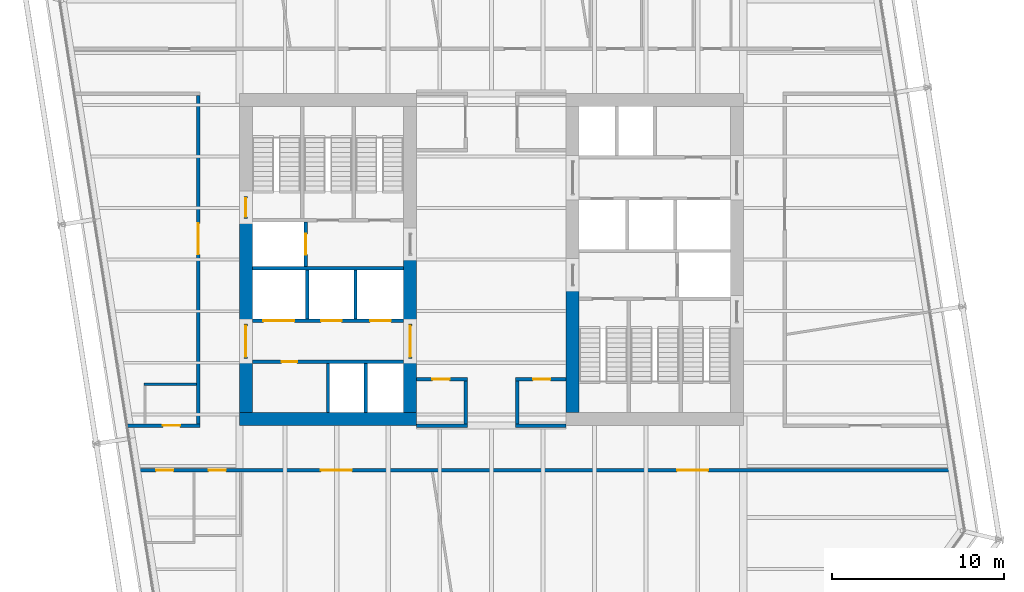
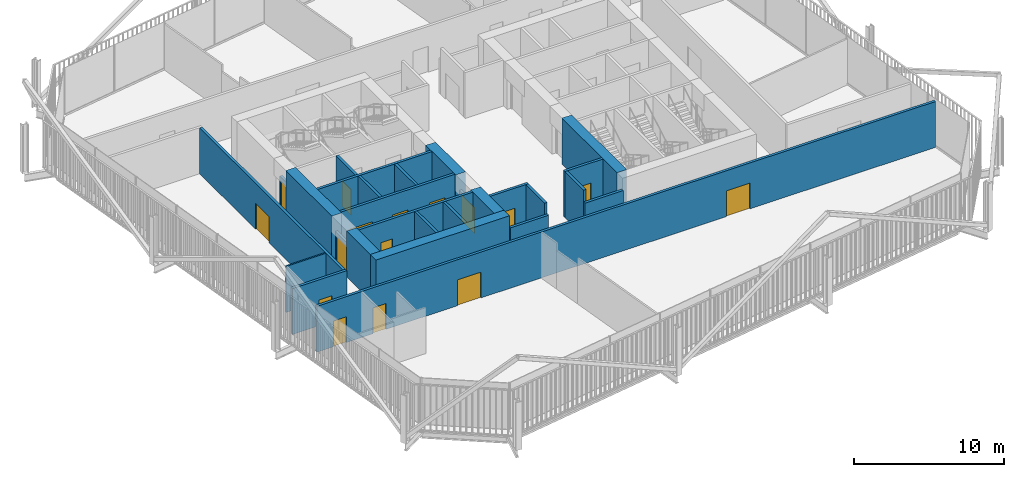
# One storey, part 18 of 22: 27 walls, 16 doors, 16 openings.
"""IFC4 building model written with IfcOpenShell, lengths in metres."""

from ifc_helpers import new_model, si_unit, direction, frame, frame_2d, origin, place, context, subcontext, project, spatial, rectangle, extrude, material, layer, layer_set, type_object, element, fill, save


model = new_model("IFC4")

# Units and contexts
model_context = context("Model", 3, precision=1e-05, world=origin(), true_north=direction((0.0, 1.0)))
body_context = subcontext(model_context, "Body", "Model", "MODEL_VIEW")
ifc_project = project(units=[si_unit("LENGTHUNIT", "METRE"), si_unit("AREAUNIT", "SQUARE_METRE"), si_unit("VOLUMEUNIT", "CUBIC_METRE"), si_unit("PLANEANGLEUNIT", "RADIAN"), si_unit("MASSUNIT", "GRAM", prefix="KILO")], contexts=[model_context])

# Site, building, storey
site_placement = place(None, origin())
site = spatial("IfcSite", under=ifc_project, at=site_placement, CompositionType="ELEMENT")
building_placement = place(site_placement, origin())
building = spatial("IfcBuilding", under=site, at=building_placement, Name="Millrace Tower", CompositionType="ELEMENT")
storey_placement = place(building_placement, frame((0.0, 0.0, 160.699951171875)))
storey = spatial("IfcBuildingStorey", under=building, at=storey_placement, Name="L36", CompositionType="ELEMENT", Elevation=160.699951171875)

# Walls
ifc_material_1 = material(Name="Concrete C70", Category="concrete")
ifc_layer_1 = layer(ifc_material_1, 0.75)
ifc_layer_set_1 = layer_set([ifc_layer_1], Name="Concrete C70")
wall_type_1 = type_object("IfcWallType", Name="Core wall 750 Concrete C70", PredefinedType="SHEAR", material=ifc_layer_set_1)
wall_1_placement = place(storey_placement, frame((-14.64990234375, -9.27490234375, 0.0), z_axis=(0.0, 0.0, 1.0), x_axis=(1.0, 0.0, 0.0)))
element("IfcWall", 1, at=wall_1_placement, inside=storey, type_object=wall_type_1, Name="Core wall W L36", PredefinedType="SHEAR", context=body_context, shape_type="SweptSolid", body=[
    extrude(rectangle(XDim=10.2998046875, YDim=0.75, at=frame_2d((5.14990234375, 0.0))), origin(), (0.0, 0.0, 1.0), 3.739990234375),
])
wall_2_placement = place(storey_placement, frame((-14.27490234375, -8.89990234375, 0.0), z_axis=(0.0, 0.0, 1.0), x_axis=(0.0, 1.0, 0.0)))
element("IfcWall", 2, at=wall_2_placement, inside=storey, type_object=wall_type_1, Name="Core wall W L36", PredefinedType="SHEAR", context=body_context, shape_type="SweptSolid", body=[
    extrude(rectangle(XDim=3.14990234375, YDim=0.75, at=frame_2d((1.574951171875, 0.0))), origin(), (0.0, 0.0, 1.0), 3.739990234375),
])
wall_3_placement = place(storey_placement, frame((-14.27490234375, -3.75, 0.0), z_axis=(0.0, 0.0, 1.0), x_axis=(0.0, 1.0, 0.0)))
element("IfcWall", 3, at=wall_3_placement, inside=storey, type_object=wall_type_1, Name="Core wall W L36", PredefinedType="SHEAR", context=body_context, shape_type="SweptSolid", body=[
    extrude(rectangle(XDim=6.1298828125, YDim=0.75, at=frame_2d((3.06494140625, 0.0))), origin(), (0.0, 0.0, 1.0), 3.739990234375),
])
wall_4_placement = place(storey_placement, frame((-4.72509765625, -8.89990234375, 0.0), z_axis=(0.0, 0.0, 1.0), x_axis=(0.0, 1.0, 0.0)))
element("IfcWall", 4, at=wall_4_placement, inside=storey, type_object=wall_type_1, Name="Core wall W L36", PredefinedType="SHEAR", context=body_context, shape_type="SweptSolid", body=[
    extrude(rectangle(XDim=3.14990234375, YDim=0.75, at=frame_2d((1.574951171875, 0.0))), origin(), (0.0, 0.0, 1.0), 3.739990234375),
])
wall_5_placement = place(storey_placement, frame((-4.72509765625, -3.75, 0.0), z_axis=(0.0, 0.0, 1.0), x_axis=(0.0, 1.0, 0.0)))
element("IfcWall", 5, at=wall_5_placement, inside=storey, type_object=wall_type_1, Name="Core wall W L36", PredefinedType="SHEAR", context=body_context, shape_type="SweptSolid", body=[
    extrude(rectangle(XDim=4.0, YDim=0.75, at=frame_2d((2.0, 0.0))), origin(), (0.0, 0.0, 1.0), 3.739990234375),
])
wall_6_placement = place(storey_placement, frame((4.72509765625, -1.550048828125, 0.0), z_axis=(0.0, 0.0, 1.0), x_axis=(0.0, -1.0, 0.0)))
element("IfcWall", 6, at=wall_6_placement, inside=storey, type_object=wall_type_1, Name="Core wall E L36", PredefinedType="SHEAR", context=body_context, shape_type="SweptSolid", body=[
    extrude(rectangle(XDim=7.349853515625, YDim=0.75, at=frame_2d((3.6748046875, 0.0))), origin(), (0.0, 0.0, 1.0), 3.739990234375),
])

# Wall, openings, doors
ifc_material_2 = material(Name="Masonry partition, fire-rated", Category="masonry")
ifc_layer_2 = layer(ifc_material_2, 0.199951171875)
ifc_layer_set_2 = layer_set([ifc_layer_2], Name="Masonry partition, fire-rated")
wall_type_2 = type_object("IfcWallType", Name="Corridor wall 200", PredefinedType="PARTITIONING", material=ifc_layer_set_2)
wall_7_placement = place(storey_placement, frame((-20.738525390625, -12.25, 0.0), z_axis=(0.0, 0.0, 1.0), x_axis=(1.0, 0.0, 0.0)))
wall_7 = element("IfcWall", 7, at=wall_7_placement, inside=storey, type_object=wall_type_2, Name="Corridor wall L36", PredefinedType="PARTITIONING", context=body_context, shape_type="SweptSolid", body=[
    extrude(rectangle(XDim=47.646484375, YDim=0.199951171875, at=frame_2d((23.8232421875, 0.0))), origin(), (0.0, 0.0, 1.0), 3.739990234375),
])
opening_1_placement = place(wall_7_placement, frame((10.821533203125, 0.0, 0.0)))
opening_1 = element("IfcOpeningElement", 8, at=opening_1_placement, cuts=wall_7, Name="Opening 36-P014", PredefinedType="OPENING", context=body_context, shape_type="SweptSolid", body=[
    extrude(rectangle(XDim=1.800048828125, YDim=2.10009765625, at=frame_2d((0.89990234375, 1.050048828125))), frame((0.0, 0.10986328125, 0.0), z_axis=(0.0, -1.0, 0.0), x_axis=(1.0, 0.0, 0.0)), (0.0, 0.0, 1.0), 0.219970703125),
])
opening_2_placement = place(wall_7_placement, frame((1.25048828125, 0.0, 0.0)))
opening_2 = element("IfcOpeningElement", 9, at=opening_2_placement, cuts=wall_7, Name="Opening 36-P015", PredefinedType="OPENING", context=body_context, shape_type="SweptSolid", body=[
    extrude(rectangle(XDim=1.0, YDim=2.10009765625, at=frame_2d((0.5, 1.050048828125))), frame((0.0, 0.10986328125, 0.0), z_axis=(0.0, -1.0, 0.0), x_axis=(1.0, 0.0, 0.0)), (0.0, 0.0, 1.0), 0.219970703125),
])
opening_3_placement = place(wall_7_placement, frame((4.300537109375, 0.0, 0.0)))
opening_3 = element("IfcOpeningElement", 10, at=opening_3_placement, cuts=wall_7, Name="Opening 36-P016", PredefinedType="OPENING", context=body_context, shape_type="SweptSolid", body=[
    extrude(rectangle(XDim=1.0, YDim=2.10009765625, at=frame_2d((0.5, 1.050048828125))), frame((0.0, 0.10986328125, 0.0), z_axis=(0.0, -1.0, 0.0), x_axis=(1.0, 0.0, 0.0)), (0.0, 0.0, 1.0), 0.219970703125),
])
opening_4_placement = place(wall_7_placement, frame((31.5439453125, 0.0, 0.0)))
opening_4 = element("IfcOpeningElement", 11, at=opening_4_placement, cuts=wall_7, Name="Opening 36-P017", PredefinedType="OPENING", context=body_context, shape_type="SweptSolid", body=[
    extrude(rectangle(XDim=1.800048828125, YDim=2.10009765625, at=frame_2d((0.89990234375, 1.050048828125))), frame((0.0, 0.10986328125, 0.0), z_axis=(0.0, -1.0, 0.0), x_axis=(1.0, 0.0, 0.0)), (0.0, 0.0, 1.0), 0.219970703125),
])
ifc_material_3 = material(Name="Steel door set, fire-rated", Category="steel")
door_type_1 = type_object("IfcDoorType", Name="Corridor door 1000 x 2100", OperationType="SINGLE_SWING_LEFT", PredefinedType="DOOR", material=ifc_material_3)
door_1_placement = place(opening_2_placement, frame((1.0, 0.0, 0.0), z_axis=(0.0, 0.0, 1.0), x_axis=(-1.0, 0.0, 0.0)))
door_1 = element("IfcDoor", 12, at=door_1_placement, inside=storey, type_object=door_type_1, Name="Door 36-P015", OperationType="SINGLE_SWING_RIGHT", OverallHeight=2.10009765625, OverallWidth=1.0, PredefinedType="DOOR", context=body_context, shape_type="SweptSolid", body=[
    extrude(rectangle(XDim=1.0, YDim=2.10009765625, at=frame_2d((0.5, 1.050048828125))), frame((0.0, 0.02490234375, 0.0), z_axis=(0.0, -1.0, 0.0), x_axis=(1.0, 0.0, 0.0)), (0.0, 0.0, 1.0), 0.050048828125),
])
fill(opening_2, door_1)
door_2_placement = place(opening_3_placement, frame((1.0, 0.0, 0.0), z_axis=(0.0, 0.0, 1.0), x_axis=(-1.0, 0.0, 0.0)))
door_2 = element("IfcDoor", 13, at=door_2_placement, inside=storey, type_object=door_type_1, Name="Door 36-P016", OperationType="SINGLE_SWING_RIGHT", OverallHeight=2.10009765625, OverallWidth=1.0, PredefinedType="DOOR", context=body_context, shape_type="SweptSolid", body=[
    extrude(rectangle(XDim=1.0, YDim=2.10009765625, at=frame_2d((0.5, 1.050048828125))), frame((0.0, 0.02490234375, 0.0), z_axis=(0.0, -1.0, 0.0), x_axis=(1.0, 0.0, 0.0)), (0.0, 0.0, 1.0), 0.050048828125),
])
fill(opening_3, door_2)
ifc_material_4 = material(Name="Steel door set, fire-rated", Category="steel")
door_type_2 = type_object("IfcDoorType", Name="Corridor door 1800 x 2100", OperationType="DOUBLE_DOOR_SINGLE_SWING", PredefinedType="DOOR", material=ifc_material_4)
door_3_placement = place(opening_1_placement, origin())
door_3 = element("IfcDoor", 14, at=door_3_placement, inside=storey, type_object=door_type_2, Name="Door 36-P014", OperationType="DOUBLE_DOOR_SINGLE_SWING", OverallHeight=2.10009765625, OverallWidth=1.800048828125, PredefinedType="DOOR", context=body_context, shape_type="SweptSolid", body=[
    extrude(rectangle(XDim=1.800048828125, YDim=2.10009765625, at=frame_2d((0.89990234375, 1.050048828125))), frame((0.0, 0.02490234375, 0.0), z_axis=(0.0, -1.0, 0.0), x_axis=(1.0, 0.0, 0.0)), (0.0, 0.0, 1.0), 0.050048828125),
])
fill(opening_1, door_3)
door_4_placement = place(opening_4_placement, origin())
door_4 = element("IfcDoor", 15, at=door_4_placement, inside=storey, type_object=door_type_2, Name="Door 36-P017", OperationType="DOUBLE_DOOR_SINGLE_SWING", OverallHeight=2.10009765625, OverallWidth=1.800048828125, PredefinedType="DOOR", context=body_context, shape_type="SweptSolid", body=[
    extrude(rectangle(XDim=1.800048828125, YDim=2.10009765625, at=frame_2d((0.89990234375, 1.050048828125))), frame((0.0, 0.02490234375, 0.0), z_axis=(0.0, -1.0, 0.0), x_axis=(1.0, 0.0, 0.0)), (0.0, 0.0, 1.0), 0.050048828125),
])
fill(opening_4, door_4)

# Wall, opening, door
wall_8_placement = place(storey_placement, frame((-21.150390625, -9.64990234375, 0.0), z_axis=(0.0, 0.0, 1.0), x_axis=(1.0, 0.0, 0.0)))
wall_8 = element("IfcWall", 16, at=wall_8_placement, inside=storey, type_object=wall_type_2, Name="Corridor wall L36", PredefinedType="PARTITIONING", context=body_context, shape_type="SweptSolid", body=[
    extrude(rectangle(XDim=4.200439453125, YDim=0.199951171875, at=frame_2d((2.10009765625, 0.0))), origin(), (0.0, 0.0, 1.0), 3.739990234375),
])
opening_5_placement = place(wall_8_placement, frame((2.05029296875, 0.0, 0.0)))
opening_5 = element("IfcOpeningElement", 17, at=opening_5_placement, cuts=wall_8, Name="Opening 36-P019", PredefinedType="OPENING", context=body_context, shape_type="SweptSolid", body=[
    extrude(rectangle(XDim=1.0, YDim=2.10009765625, at=frame_2d((0.5, 1.050048828125))), frame((0.0, 0.10986328125, 0.0), z_axis=(0.0, -1.0, 0.0), x_axis=(1.0, 0.0, 0.0)), (0.0, 0.0, 1.0), 0.219970703125),
])
door_5_placement = place(opening_5_placement, origin())
door_5 = element("IfcDoor", 18, at=door_5_placement, inside=storey, type_object=door_type_1, Name="Door 36-P019", OperationType="SINGLE_SWING_RIGHT", OverallHeight=2.10009765625, OverallWidth=1.0, PredefinedType="DOOR", context=body_context, shape_type="SweptSolid", body=[
    extrude(rectangle(XDim=1.0, YDim=2.10009765625, at=frame_2d((0.5, 1.050048828125))), frame((0.0, 0.02490234375, 0.0), z_axis=(0.0, -1.0, 0.0), x_axis=(1.0, 0.0, 0.0)), (0.0, 0.0, 1.0), 0.050048828125),
])
fill(opening_5, door_5)

# Walls
for number, where, z_axis, x_axis, name in (
    (19, (-4.35009765625, -9.64990234375, 0.0), (0.0, 0.0, 1.0), (1.0, 0.0, 0.0), "Corridor wall L36"),
    (20, (1.39990234375, -9.64990234375, 0.0), (0.0, 0.0, 1.0), (1.0, 0.0, 0.0), "Corridor wall L36"),
):
    element("IfcWall", number, at=place(storey_placement, frame(where, z_axis=z_axis, x_axis=x_axis)), inside=storey, type_object=wall_type_2, Name=name, PredefinedType="PARTITIONING", context=body_context, shape_type="SweptSolid", body=[
        extrude(rectangle(XDim=2.9501953125, YDim=0.199951171875, at=frame_2d((1.47509765625, 0.0))), origin(), (0.0, 0.0, 1.0), 2.81298828125),
    ])

# Wall, opening, door
wall_9_placement = place(storey_placement, frame((-4.35009765625, -6.949951171875, 0.0), z_axis=(0.0, 0.0, 1.0), x_axis=(1.0, 0.0, 0.0)))
wall_9 = element("IfcWall", 21, at=wall_9_placement, inside=storey, type_object=wall_type_2, Name="Corridor wall L36", PredefinedType="PARTITIONING", context=body_context, shape_type="SweptSolid", body=[
    extrude(rectangle(XDim=2.9501953125, YDim=0.199951171875, at=frame_2d((1.47509765625, 0.0))), origin(), (0.0, 0.0, 1.0), 3.739990234375),
])
opening_6_placement = place(wall_9_placement, frame((0.925048828125, 0.0, 0.0)))
opening_6 = element("IfcOpeningElement", 22, at=opening_6_placement, cuts=wall_9, Name="Opening 36-P003", PredefinedType="OPENING", context=body_context, shape_type="SweptSolid", body=[
    extrude(rectangle(XDim=1.0, YDim=2.10009765625, at=frame_2d((0.5, 1.050048828125))), frame((0.0, 0.10986328125, 0.0), z_axis=(0.0, -1.0, 0.0), x_axis=(1.0, 0.0, 0.0)), (0.0, 0.0, 1.0), 0.219970703125),
])
door_6_placement = place(opening_6_placement, frame((1.0, 0.0, 0.0), z_axis=(0.0, 0.0, 1.0), x_axis=(-1.0, 0.0, 0.0)))
door_6 = element("IfcDoor", 23, at=door_6_placement, inside=storey, type_object=door_type_1, Name="Door 36-P003", OperationType="SINGLE_SWING_RIGHT", OverallHeight=2.10009765625, OverallWidth=1.0, PredefinedType="DOOR", context=body_context, shape_type="SweptSolid", body=[
    extrude(rectangle(XDim=1.0, YDim=2.10009765625, at=frame_2d((0.5, 1.050048828125))), frame((0.0, 0.02490234375, 0.0), z_axis=(0.0, -1.0, 0.0), x_axis=(1.0, 0.0, 0.0)), (0.0, 0.0, 1.0), 0.050048828125),
])
fill(opening_6, door_6)

wall_10_placement = place(storey_placement, frame((1.39990234375, -6.949951171875, 0.0), z_axis=(0.0, 0.0, 1.0), x_axis=(1.0, 0.0, 0.0)))
wall_10 = element("IfcWall", 24, at=wall_10_placement, inside=storey, type_object=wall_type_2, Name="Corridor wall L36", PredefinedType="PARTITIONING", context=body_context, shape_type="SweptSolid", body=[
    extrude(rectangle(XDim=2.9501953125, YDim=0.199951171875, at=frame_2d((1.47509765625, 0.0))), origin(), (0.0, 0.0, 1.0), 3.739990234375),
])
opening_7_placement = place(wall_10_placement, frame((1.02490234375, 0.0, 0.0)))
opening_7 = element("IfcOpeningElement", 25, at=opening_7_placement, cuts=wall_10, Name="Opening 36-P004", PredefinedType="OPENING", context=body_context, shape_type="SweptSolid", body=[
    extrude(rectangle(XDim=1.0, YDim=2.10009765625, at=frame_2d((0.5, 1.050048828125))), frame((0.0, 0.10986328125, 0.0), z_axis=(0.0, -1.0, 0.0), x_axis=(1.0, 0.0, 0.0)), (0.0, 0.0, 1.0), 0.219970703125),
])
door_7_placement = place(opening_7_placement, frame((1.0, 0.0, 0.0), z_axis=(0.0, 0.0, 1.0), x_axis=(-1.0, 0.0, 0.0)))
door_7 = element("IfcDoor", 26, at=door_7_placement, inside=storey, type_object=door_type_1, Name="Door 36-P004", OperationType="SINGLE_SWING_RIGHT", OverallHeight=2.10009765625, OverallWidth=1.0, PredefinedType="DOOR", context=body_context, shape_type="SweptSolid", body=[
    extrude(rectangle(XDim=1.0, YDim=2.10009765625, at=frame_2d((0.5, 1.050048828125))), frame((0.0, 0.02490234375, 0.0), z_axis=(0.0, -1.0, 0.0), x_axis=(1.0, 0.0, 0.0)), (0.0, 0.0, 1.0), 0.050048828125),
])
fill(opening_7, door_7)

# Walls
for number, where, z_axis, x_axis, name in (
    (27, (1.5, -9.550048828125, 0.0), (0.0, 0.0, 1.0), (0.0, 1.0, 0.0), "Corridor wall L36"),
    (28, (-1.5, -9.550048828125, 0.0), (0.0, 0.0, 1.0), (0.0, 1.0, 0.0), "Corridor wall L36"),
):
    element("IfcWall", number, at=place(storey_placement, frame(where, z_axis=z_axis, x_axis=x_axis)), inside=storey, type_object=wall_type_2, Name=name, PredefinedType="PARTITIONING", context=body_context, shape_type="SweptSolid", body=[
        extrude(rectangle(XDim=2.5, YDim=0.199951171875, at=frame_2d((1.25, 0.0))), origin(), (0.0, 0.0, 1.0), 3.739990234375),
    ])

# Wall, opening, door
wall_11_placement = place(storey_placement, frame((-17.050048828125, -9.550048828125, 0.0), z_axis=(0.0, 0.0, 1.0), x_axis=(0.0, 1.0, 0.0)))
wall_11 = element("IfcWall", 29, at=wall_11_placement, inside=storey, type_object=wall_type_2, Name="Corridor wall L36", PredefinedType="PARTITIONING", context=body_context, shape_type="SweptSolid", body=[
    extrude(rectangle(XDim=19.10009765625, YDim=0.199951171875, at=frame_2d((9.550048828125, 0.0))), origin(), (0.0, 0.0, 1.0), 3.739990234375),
])
opening_8_placement = place(wall_11_placement, frame((9.85009765625, 0.0, 0.0)))
opening_8 = element("IfcOpeningElement", 30, at=opening_8_placement, cuts=wall_11, Name="Opening 36-P018", PredefinedType="OPENING", context=body_context, shape_type="SweptSolid", body=[
    extrude(rectangle(XDim=1.800048828125, YDim=2.10009765625, at=frame_2d((0.89990234375, 1.050048828125))), frame((0.0, 0.10986328125, 0.0), z_axis=(0.0, -1.0, 0.0), x_axis=(1.0, 0.0, 0.0)), (0.0, 0.0, 1.0), 0.219970703125),
])
door_8_placement = place(opening_8_placement, origin())
door_8 = element("IfcDoor", 31, at=door_8_placement, inside=storey, type_object=door_type_2, Name="Door 36-P018", OperationType="DOUBLE_DOOR_SINGLE_SWING", OverallHeight=2.10009765625, OverallWidth=1.800048828125, PredefinedType="DOOR", context=body_context, shape_type="SweptSolid", body=[
    extrude(rectangle(XDim=1.800048828125, YDim=2.10009765625, at=frame_2d((0.89990234375, 1.050048828125))), frame((0.0, 0.02490234375, 0.0), z_axis=(0.0, -1.0, 0.0), x_axis=(1.0, 0.0, 0.0)), (0.0, 0.0, 1.0), 0.050048828125),
])
fill(opening_8, door_8)

ifc_material_5 = material(Name="Masonry partition, fire-rated", Category="masonry")
ifc_layer_3 = layer(ifc_material_5, 0.199951171875)
ifc_layer_set_3 = layer_set([ifc_layer_3], Name="Masonry partition, fire-rated")
wall_type_3 = type_object("IfcWallType", Name="Lift shaft wall 200", PredefinedType="PARTITIONING", material=ifc_layer_set_3)
wall_12_placement = place(storey_placement, frame((-13.89990234375, -5.949951171875, 0.0), z_axis=(0.0, 0.0, 1.0), x_axis=(1.0, 0.0, 0.0)))
wall_12 = element("IfcWall", 32, at=wall_12_placement, inside=storey, type_object=wall_type_3, Name="Lift shaft wall W L36", PredefinedType="PARTITIONING", context=body_context, shape_type="SweptSolid", body=[
    extrude(rectangle(XDim=8.7998046875, YDim=0.199951171875, at=frame_2d((4.39990234375, 0.0))), origin(), (0.0, 0.0, 1.0), 3.739990234375),
])
opening_9_placement = place(wall_12_placement, frame((1.699951171875, 0.0, 0.0)))
opening_9 = element("IfcOpeningElement", 33, at=opening_9_placement, cuts=wall_12, Name="Opening 36-C005", PredefinedType="OPENING", context=body_context, shape_type="SweptSolid", body=[
    extrude(rectangle(XDim=0.89990234375, YDim=2.10009765625, at=frame_2d((0.449951171875, 1.050048828125))), frame((0.0, 0.10986328125, 0.0), z_axis=(0.0, -1.0, 0.0), x_axis=(1.0, 0.0, 0.0)), (0.0, 0.0, 1.0), 0.219970703125),
])
ifc_material_6 = material(Name="Steel door, fire-rated", Category="steel")
door_type_3 = type_object("IfcDoorType", Name="Service room door 900 x 2100", OperationType="SINGLE_SWING_LEFT", PredefinedType="DOOR", material=ifc_material_6)
door_9_placement = place(opening_9_placement, frame((0.89990234375, 0.0, 0.0), z_axis=(0.0, 0.0, 1.0), x_axis=(-1.0, 0.0, 0.0)))
door_9 = element("IfcDoor", 34, at=door_9_placement, inside=storey, type_object=door_type_3, Name="Service room door 36-C005", OperationType="SINGLE_SWING_RIGHT", OverallHeight=2.10009765625, OverallWidth=0.89990234375, PredefinedType="DOOR", context=body_context, shape_type="SweptSolid", body=[
    extrude(rectangle(XDim=0.89990234375, YDim=2.10009765625, at=frame_2d((0.449951171875, 1.050048828125))), frame((0.0, 0.02490234375, 0.0), z_axis=(0.0, -1.0, 0.0), x_axis=(1.0, 0.0, 0.0)), (0.0, 0.0, 1.0), 0.050048828125),
])
fill(opening_9, door_9)

# Wall, openings, doors
wall_13_placement = place(storey_placement, frame((-13.89990234375, -3.550048828125, 0.0), z_axis=(0.0, 0.0, 1.0), x_axis=(1.0, 0.0, 0.0)))
wall_13 = element("IfcWall", 35, at=wall_13_placement, inside=storey, type_object=wall_type_3, Name="Lift shaft wall W L36", PredefinedType="PARTITIONING", context=body_context, shape_type="SweptSolid", body=[
    extrude(rectangle(XDim=8.7998046875, YDim=0.199951171875, at=frame_2d((4.39990234375, 0.0))), origin(), (0.0, 0.0, 1.0), 3.739990234375),
])
opening_10_placement = place(wall_13_placement, frame((0.64990234375, 0.0, 0.0)))
opening_10 = element("IfcOpeningElement", 36, at=opening_10_placement, cuts=wall_13, Name="Opening 36-LD05", PredefinedType="OPENING", context=body_context, shape_type="SweptSolid", body=[
    extrude(rectangle(XDim=1.800048828125, YDim=2.10009765625, at=frame_2d((0.89990234375, 1.050048828125))), frame((0.0, 0.10986328125, 0.0), z_axis=(0.0, -1.0, 0.0), x_axis=(1.0, 0.0, 0.0)), (0.0, 0.0, 1.0), 0.219970703125),
])
opening_11_placement = place(wall_13_placement, frame((4.0, 0.0, 0.0)))
opening_11 = element("IfcOpeningElement", 37, at=opening_11_placement, cuts=wall_13, Name="Opening 36-LD06", PredefinedType="OPENING", context=body_context, shape_type="SweptSolid", body=[
    extrude(rectangle(XDim=1.199951171875, YDim=2.10009765625, at=frame_2d((0.60009765625, 1.050048828125))), frame((0.0, 0.10986328125, 0.0), z_axis=(0.0, -1.0, 0.0), x_axis=(1.0, 0.0, 0.0)), (0.0, 0.0, 1.0), 0.219970703125),
])
opening_12_placement = place(wall_13_placement, frame((6.85009765625, 0.0, 0.0)))
opening_12 = element("IfcOpeningElement", 38, at=opening_12_placement, cuts=wall_13, Name="Opening 36-LD07", PredefinedType="OPENING", context=body_context, shape_type="SweptSolid", body=[
    extrude(rectangle(XDim=1.199951171875, YDim=2.10009765625, at=frame_2d((0.60009765625, 1.050048828125))), frame((0.0, 0.10986328125, 0.0), z_axis=(0.0, -1.0, 0.0), x_axis=(1.0, 0.0, 0.0)), (0.0, 0.0, 1.0), 0.219970703125),
])
ifc_material_7 = material(Name="Stainless steel, fire-rated", Category="steel")
door_type_4 = type_object("IfcDoorType", Name="Lift landing door 1200 x 2100", OperationType="DOUBLE_DOOR_SLIDING", PredefinedType="DOOR", material=ifc_material_7)
door_10_placement = place(opening_11_placement, origin())
door_10 = element("IfcDoor", 39, at=door_10_placement, inside=storey, type_object=door_type_4, Name="Lift landing door LF6 L36", OperationType="DOUBLE_DOOR_SLIDING", OverallHeight=2.10009765625, OverallWidth=1.199951171875, PredefinedType="DOOR", context=body_context, shape_type="SweptSolid", body=[
    extrude(rectangle(XDim=1.199951171875, YDim=2.10009765625, at=frame_2d((0.60009765625, 1.050048828125))), frame((0.0, 0.02490234375, 0.0), z_axis=(0.0, -1.0, 0.0), x_axis=(1.0, 0.0, 0.0)), (0.0, 0.0, 1.0), 0.050048828125),
])
fill(opening_11, door_10)
door_11_placement = place(opening_12_placement, origin())
door_11 = element("IfcDoor", 40, at=door_11_placement, inside=storey, type_object=door_type_4, Name="Lift landing door LF7 L36", OperationType="DOUBLE_DOOR_SLIDING", OverallHeight=2.10009765625, OverallWidth=1.199951171875, PredefinedType="DOOR", context=body_context, shape_type="SweptSolid", body=[
    extrude(rectangle(XDim=1.199951171875, YDim=2.10009765625, at=frame_2d((0.60009765625, 1.050048828125))), frame((0.0, 0.02490234375, 0.0), z_axis=(0.0, -1.0, 0.0), x_axis=(1.0, 0.0, 0.0)), (0.0, 0.0, 1.0), 0.050048828125),
])
fill(opening_12, door_11)
ifc_material_8 = material(Name="Stainless steel, fire-rated", Category="steel")
door_type_5 = type_object("IfcDoorType", Name="Lift landing door 1800 x 2100", OperationType="DOUBLE_DOOR_SLIDING", PredefinedType="DOOR", material=ifc_material_8)
door_12_placement = place(opening_10_placement, origin())
door_12 = element("IfcDoor", 41, at=door_12_placement, inside=storey, type_object=door_type_5, Name="Lift landing door LF5 L36", OperationType="DOUBLE_DOOR_SLIDING", OverallHeight=2.10009765625, OverallWidth=1.800048828125, PredefinedType="DOOR", context=body_context, shape_type="SweptSolid", body=[
    extrude(rectangle(XDim=1.800048828125, YDim=2.10009765625, at=frame_2d((0.89990234375, 1.050048828125))), frame((0.0, 0.02490234375, 0.0), z_axis=(0.0, -1.0, 0.0), x_axis=(1.0, 0.0, 0.0)), (0.0, 0.0, 1.0), 0.050048828125),
])
fill(opening_10, door_12)

# Wall
wall_14_placement = place(storey_placement, frame((-13.89990234375, -0.5, 0.0), z_axis=(0.0, 0.0, 1.0), x_axis=(1.0, 0.0, 0.0)))
element("IfcWall", 42, at=wall_14_placement, inside=storey, type_object=wall_type_3, Name="Lift shaft wall W L36", PredefinedType="PARTITIONING", context=body_context, shape_type="SweptSolid", body=[
    extrude(rectangle(XDim=8.7998046875, YDim=0.199951171875, at=frame_2d((4.39990234375, 0.0))), origin(), (0.0, 0.0, 1.0), 3.739990234375),
])

# Wall, opening, door
wall_15_placement = place(storey_placement, frame((-10.800048828125, -0.39990234375, 0.0), z_axis=(0.0, 0.0, 1.0), x_axis=(0.0, 1.0, 0.0)))
wall_15 = element("IfcWall", 43, at=wall_15_placement, inside=storey, type_object=wall_type_3, Name="Lift shaft wall W L36", PredefinedType="PARTITIONING", context=body_context, shape_type="SweptSolid", body=[
    extrude(rectangle(XDim=2.579833984375, YDim=0.199951171875, at=frame_2d((1.2900390625, 0.0))), origin(), (0.0, 0.0, 1.0), 3.739990234375),
])
opening_13_placement = place(wall_15_placement, frame((0.68994140625, 0.0, 0.0)))
opening_13 = element("IfcOpeningElement", 44, at=opening_13_placement, cuts=wall_15, Name="Opening 36-LD08", PredefinedType="OPENING", context=body_context, shape_type="SweptSolid", body=[
    extrude(rectangle(XDim=1.199951171875, YDim=2.10009765625, at=frame_2d((0.60009765625, 1.050048828125))), frame((0.0, 0.10986328125, 0.0), z_axis=(0.0, -1.0, 0.0), x_axis=(1.0, 0.0, 0.0)), (0.0, 0.0, 1.0), 0.219970703125),
])
door_13_placement = place(opening_13_placement, origin())
door_13 = element("IfcDoor", 45, at=door_13_placement, inside=storey, type_object=door_type_4, Name="Lift landing door LF8 L36", OperationType="DOUBLE_DOOR_SLIDING", OverallHeight=2.10009765625, OverallWidth=1.199951171875, PredefinedType="DOOR", context=body_context, shape_type="SweptSolid", body=[
    extrude(rectangle(XDim=1.199951171875, YDim=2.10009765625, at=frame_2d((0.60009765625, 1.050048828125))), frame((0.0, 0.02490234375, 0.0), z_axis=(0.0, -1.0, 0.0), x_axis=(1.0, 0.0, 0.0)), (0.0, 0.0, 1.0), 0.050048828125),
])
fill(opening_13, door_13)

# Walls
for number, where, z_axis, x_axis, name in (
    (46, (-9.5, -8.89990234375, 0.0), (0.0, 0.0, 1.0), (0.0, 1.0, 0.0), "Lift shaft wall W L36"),
    (47, (-7.300048828125, -8.89990234375, 0.0), (0.0, 0.0, 1.0), (0.0, 1.0, 0.0), "Lift shaft wall W L36"),
    (48, (-10.699951171875, -3.449951171875, 0.0), (0.0, 0.0, 1.0), (0.0, 1.0, 0.0), "Lift shaft wall W L36"),
    (49, (-7.89990234375, -3.449951171875, 0.0), (0.0, 0.0, 1.0), (0.0, 1.0, 0.0), "Lift shaft wall W L36"),
):
    element("IfcWall", number, at=place(storey_placement, frame(where, z_axis=z_axis, x_axis=x_axis)), inside=storey, type_object=wall_type_3, Name=name, PredefinedType="PARTITIONING", context=body_context, shape_type="SweptSolid", body=[
        extrude(rectangle(XDim=2.849853515625, YDim=0.199951171875, at=frame_2d((1.4248046875, 0.0))), origin(), (0.0, 0.0, 1.0), 3.739990234375),
    ])

# Wall, opening, door
ifc_material_9 = material(Name="Masonry partition, fire-rated", Category="masonry")
ifc_layer_4 = layer(ifc_material_9, 0.199951171875)
ifc_layer_set_4 = layer_set([ifc_layer_4], Name="Masonry partition, fire-rated")
wall_type_4 = type_object("IfcWallType", Name="Lobby wall 200", PredefinedType="PARTITIONING", material=ifc_layer_set_4)
wall_16_placement = place(storey_placement, frame((-14.27490234375, -5.75, 0.0), z_axis=(0.0, 0.0, 1.0), x_axis=(0.0, 1.0, 0.0)))
wall_16 = element("IfcWall", 50, at=wall_16_placement, inside=storey, type_object=wall_type_4, Name="Lobby wall W L36", PredefinedType="PARTITIONING", context=body_context, shape_type="SweptSolid", body=[
    extrude(rectangle(XDim=2.0, YDim=0.199951171875, at=frame_2d((1.0, 0.0))), origin(), (0.0, 0.0, 1.0), 2.400146484375),
])
opening_14_placement = place(wall_16_placement, frame((0.10009765625, 0.0, 0.0)))
opening_14 = element("IfcOpeningElement", 51, at=opening_14_placement, cuts=wall_16, Name="Opening 36-C001", PredefinedType="OPENING", context=body_context, shape_type="SweptSolid", body=[
    extrude(rectangle(XDim=1.800048828125, YDim=2.10009765625, at=frame_2d((0.89990234375, 1.050048828125))), frame((0.0, 0.10986328125, 0.0), z_axis=(0.0, -1.0, 0.0), x_axis=(1.0, 0.0, 0.0)), (0.0, 0.0, 1.0), 0.219970703125),
])
ifc_material_10 = material(Name="Steel door, fire-rated", Category="steel")
door_type_6 = type_object("IfcDoorType", Name="Lobby door 1800 x 2100", OperationType="DOUBLE_DOOR_SINGLE_SWING", PredefinedType="DOOR", material=ifc_material_10)
door_14_placement = place(opening_14_placement, origin())
door_14 = element("IfcDoor", 52, at=door_14_placement, inside=storey, type_object=door_type_6, Name="Lobby door 36-C001", OperationType="DOUBLE_DOOR_SINGLE_SWING", OverallHeight=2.10009765625, OverallWidth=1.800048828125, PredefinedType="DOOR", context=body_context, shape_type="SweptSolid", body=[
    extrude(rectangle(XDim=1.800048828125, YDim=2.10009765625, at=frame_2d((0.89990234375, 1.050048828125))), frame((0.0, 0.02490234375, 0.0), z_axis=(0.0, -1.0, 0.0), x_axis=(1.0, 0.0, 0.0)), (0.0, 0.0, 1.0), 0.050048828125),
])
fill(opening_14, door_14)

wall_17_placement = place(storey_placement, frame((-4.72509765625, -5.75, 0.0), z_axis=(0.0, 0.0, 1.0), x_axis=(0.0, 1.0, 0.0)))
wall_17 = element("IfcWall", 53, at=wall_17_placement, inside=storey, type_object=wall_type_4, Name="Lobby wall W L36", PredefinedType="PARTITIONING", context=body_context, shape_type="SweptSolid", body=[
    extrude(rectangle(XDim=2.0, YDim=0.199951171875, at=frame_2d((1.0, 0.0))), origin(), (0.0, 0.0, 1.0), 2.400146484375),
])
opening_15_placement = place(wall_17_placement, frame((0.10009765625, 0.0, 0.0)))
opening_15 = element("IfcOpeningElement", 54, at=opening_15_placement, cuts=wall_17, Name="Opening 36-C003", PredefinedType="OPENING", context=body_context, shape_type="SweptSolid", body=[
    extrude(rectangle(XDim=1.800048828125, YDim=2.10009765625, at=frame_2d((0.89990234375, 1.050048828125))), frame((0.0, 0.10986328125, 0.0), z_axis=(0.0, -1.0, 0.0), x_axis=(1.0, 0.0, 0.0)), (0.0, 0.0, 1.0), 0.219970703125),
])
door_15_placement = place(opening_15_placement, origin())
door_15 = element("IfcDoor", 55, at=door_15_placement, inside=storey, type_object=door_type_6, Name="Lobby door 36-C003", OperationType="DOUBLE_DOOR_SINGLE_SWING", OverallHeight=2.10009765625, OverallWidth=1.800048828125, PredefinedType="DOOR", context=body_context, shape_type="SweptSolid", body=[
    extrude(rectangle(XDim=1.800048828125, YDim=2.10009765625, at=frame_2d((0.89990234375, 1.050048828125))), frame((0.0, 0.02490234375, 0.0), z_axis=(0.0, -1.0, 0.0), x_axis=(1.0, 0.0, 0.0)), (0.0, 0.0, 1.0), 0.050048828125),
])
fill(opening_15, door_15)

# Wall
ifc_material_11 = material(Name="Gypsum board partition")
ifc_layer_5 = layer(ifc_material_11, 0.1201171875)
ifc_layer_set_5 = layer_set([ifc_layer_5], Name="Gypsum board partition")
wall_type_5 = type_object("IfcWallType", Name="Partition wall 120", PredefinedType="PARTITIONING", material=ifc_layer_set_5)
wall_18_placement = place(storey_placement, frame((-20.2099609375, -7.25, 0.0), z_axis=(0.0, 0.0, 1.0), x_axis=(1.0, 0.0, 0.0)))
element("IfcWall", 56, at=wall_18_placement, inside=storey, type_object=wall_type_5, Name="Partition wall L36", PredefinedType="PARTITIONING", context=body_context, shape_type="SweptSolid", body=[
    extrude(rectangle(XDim=3.06005859375, YDim=0.1201171875, at=frame_2d((1.530029296875, 0.0))), origin(), (0.0, 0.0, 1.0), 3.739990234375),
])

# Wall, opening, door
ifc_material_12 = material(Name="Concrete C40", Category="concrete")
ifc_layer_6 = layer(ifc_material_12, 0.199951171875)
ifc_layer_set_6 = layer_set([ifc_layer_6], Name="Concrete C40")
wall_type_6 = type_object("IfcWallType", Name="Stair enclosure wall 200 Concrete C40", PredefinedType="SHEAR", material=ifc_layer_set_6)
wall_19_placement = place(storey_placement, frame((-14.27490234375, 2.3798828125, 0.0), z_axis=(0.0, 0.0, 1.0), x_axis=(0.0, 1.0, 0.0)))
wall_19 = element("IfcWall", 57, at=wall_19_placement, inside=storey, type_object=wall_type_6, Name="Stair enclosure wall W L36", PredefinedType="SHEAR", context=body_context, shape_type="SweptSolid", body=[
    extrude(rectangle(XDim=1.300048828125, YDim=0.199951171875, at=frame_2d((0.64990234375, 0.0))), origin(), (0.0, 0.0, 1.0), 2.400146484375),
])
opening_16_placement = place(wall_19_placement, frame((0.10009765625, 0.0, 0.0)))
opening_16 = element("IfcOpeningElement", 58, at=opening_16_placement, cuts=wall_19, Name="Opening 36-C002", PredefinedType="OPENING", context=body_context, shape_type="SweptSolid", body=[
    extrude(rectangle(XDim=1.10009765625, YDim=2.10009765625, at=frame_2d((0.550048828125, 1.050048828125))), frame((0.0, 0.10986328125, 0.0), z_axis=(0.0, -1.0, 0.0), x_axis=(1.0, 0.0, 0.0)), (0.0, 0.0, 1.0), 0.219970703125),
])
ifc_material_13 = material(Name="Steel door, fire-rated", Category="steel")
door_type_7 = type_object("IfcDoorType", Name="Stair door 1100 x 2100", OperationType="SINGLE_SWING_LEFT", PredefinedType="DOOR", material=ifc_material_13)
door_16_placement = place(opening_16_placement, origin())
door_16 = element("IfcDoor", 59, at=door_16_placement, inside=storey, type_object=door_type_7, Name="Stair door 36-C002", OperationType="SINGLE_SWING_RIGHT", OverallHeight=2.10009765625, OverallWidth=1.10009765625, PredefinedType="DOOR", context=body_context, shape_type="SweptSolid", body=[
    extrude(rectangle(XDim=1.10009765625, YDim=2.10009765625, at=frame_2d((0.550048828125, 1.050048828125))), frame((0.0, 0.02490234375, 0.0), z_axis=(0.0, -1.0, 0.0), x_axis=(1.0, 0.0, 0.0)), (0.0, 0.0, 1.0), 0.050048828125),
])
fill(opening_16, door_16)

save(model, "model.ifc")
